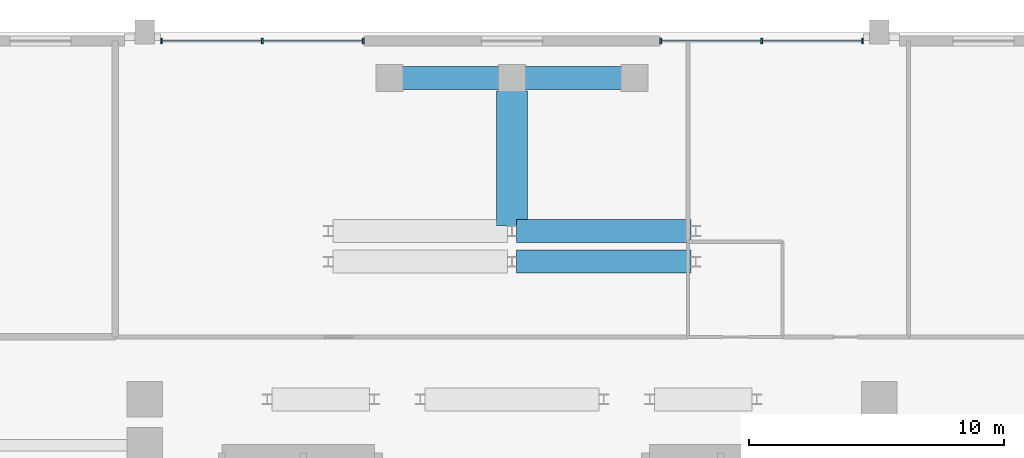
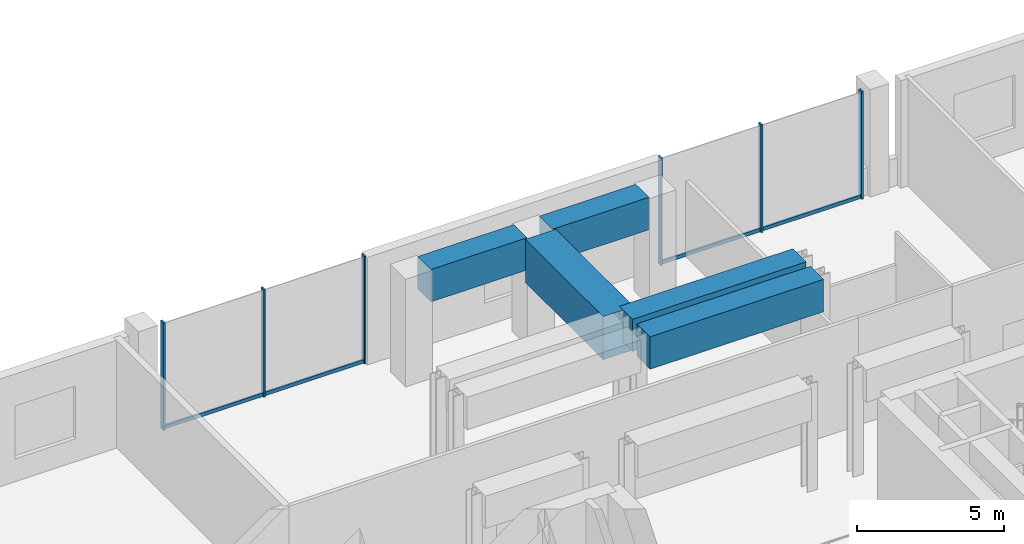
# One storey, part 7 of 13: 10 members, 5 beams, 2 elements without a shape of their own.
"""IFC4 building model written with IfcOpenShell, lengths in metres."""

from ifc_helpers import new_model, si_unit, direction, frame, origin, origin_2d, place, context, subcontext, project, spatial, rectangle, extrude, source, transform, mapped, material, material_profile, profile_set, type_object, element, aggregate, save


model = new_model("IFC4")

# Units and contexts
model_context = context("Model", 3, precision=1e-05, world=origin(), true_north=direction((0.0, 1.0)))
body_context = subcontext(model_context, "Body", "Model", "MODEL_VIEW")
ifc_project = project(units=[si_unit("LENGTHUNIT", "METRE"), si_unit("AREAUNIT", "SQUARE_METRE"), si_unit("VOLUMEUNIT", "CUBIC_METRE"), si_unit("PLANEANGLEUNIT", "RADIAN"), si_unit("MASSUNIT", "GRAM", prefix="KILO")], contexts=[model_context])

# Site, building, storey
site_placement = place(None, origin())
site = spatial("IfcSite", under=ifc_project, at=site_placement, CompositionType="ELEMENT")
building_placement = place(site_placement, origin())
building = spatial("IfcBuilding", under=site, at=building_placement, Name="Keilestroom Media Tower", CompositionType="ELEMENT")
storey_placement = place(building_placement, frame((0.0, 0.0, 20.39990234375)))
storey = spatial("IfcBuildingStorey", under=building, at=storey_placement, Name="L04", CompositionType="ELEMENT", Elevation=20.39990234375)

# Beams
ifc_material_1 = material(Name="Concrete C55/67", Category="concrete")
ifc_material_profile_1 = material_profile(ifc_material_1, rectangle(XDim=0.89990234375, YDim=1.35009765625, at=origin_2d()), Name="RC 900x1350")
ifc_profile_set_1 = profile_set([ifc_material_profile_1], Name="Concrete C55/67")
beam_type_1 = type_object("IfcBeamType", Name="Primary-Structural-Girder-RC-900x1350", PredefinedType="BEAM", material=ifc_profile_set_1)
shared_shape_1 = source(origin(), body_context, "Body", "SweptSolid", [
    extrude(rectangle(XDim=0.89990234375, YDim=1.35009765625, at=origin_2d()), origin(), (0.0, 0.0, 1.0), 6.833984375),
])
for number, where, z_axis, x_axis, name in (
    (1, (0.18310546875, 14.39990234375, 3.80517578125), (1.0, 0.0, 0.0), (0.0, 1.0, 0.0), "L04 Beam TG-2 BM-L04-EW-030"),
    (2, (0.18310546875, 15.60009765625, 3.80517578125), (1.0, 0.0, 0.0), (0.0, 1.0, 0.0), "L04 Beam TG-2 BM-L04-EW-032"),
):
    element("IfcBeam", number, at=place(storey_placement, frame(where, z_axis=z_axis, x_axis=x_axis)), inside=storey, type_object=beam_type_1, Name=name, PredefinedType="BEAM", context=body_context, shape_type="MappedRepresentation", body=[
        mapped(shared_shape_1, transform((0.0, 0.0, 0.0), x_axis=(1.0, 0.0, 0.0), y_axis=(0.0, 1.0, 0.0), z_axis=(0.0, 0.0, 1.0), scale=1.0)),
    ])
shared_shape_2 = source(origin(), body_context, "Body", "SweptSolid", [
    extrude(rectangle(XDim=0.89990234375, YDim=1.35009765625, at=origin_2d()), origin(), (0.0, 0.0, 1.0), 3.7900390625),
])
for number, where, z_axis, x_axis, name in (
    (3, (-4.294921875, 21.60009765625, 3.80517578125), (1.0, 0.0, 0.0), (0.0, 1.0, 0.0), "L04 Beam TG-2 BM-L04-EW-033"),
    (4, (0.5048828125, 21.60009765625, 3.80517578125), (1.0, 0.0, 0.0), (0.0, 1.0, 0.0), "L04 Beam TG-2 BM-L04-EW-034"),
):
    element("IfcBeam", number, at=place(storey_placement, frame(where, z_axis=z_axis, x_axis=x_axis)), inside=storey, type_object=beam_type_1, Name=name, PredefinedType="BEAM", context=body_context, shape_type="MappedRepresentation", body=[
        mapped(shared_shape_2, transform((0.0, 0.0, 0.0), x_axis=(1.0, 0.0, 0.0), y_axis=(0.0, 1.0, 0.0), z_axis=(0.0, 0.0, 1.0), scale=1.0)),
    ])
ifc_material_2 = material(Name="Concrete C60/75", Category="concrete")
ifc_material_profile_2 = material_profile(ifc_material_2, rectangle(XDim=1.199951171875, YDim=1.800048828125, at=origin_2d()), Name="RC 1200x1800")
ifc_profile_set_2 = profile_set([ifc_material_profile_2], Name="Concrete C60/75")
beam_type_2 = type_object("IfcBeamType", Name="Primary-Structural-Girder-RC-1200x1800", PredefinedType="BEAM", material=ifc_profile_set_2)
shared_shape_3 = source(origin(), body_context, "Body", "SweptSolid", [
    extrude(rectangle(XDim=1.199951171875, YDim=1.800048828125, at=origin_2d()), origin(), (0.0, 0.0, 1.0), 5.306884765625),
])
beam_placement = place(storey_placement, frame((0.0, 15.7880859375, 3.580078125), z_axis=(0.0, 1.0, 0.0), x_axis=(-1.0, 0.0, 0.0)))
element("IfcBeam", 5, at=beam_placement, inside=storey, type_object=beam_type_2, Name="L04 Beam TG-1 BM-L04-NS-049", PredefinedType="BEAM", context=body_context, shape_type="MappedRepresentation", body=[
    mapped(shared_shape_3, transform((0.0, 0.0, 0.0), x_axis=(1.0, 0.0, 0.0), y_axis=(0.0, 1.0, 0.0), z_axis=(0.0, 0.0, 1.0), scale=1.0)),
])

# Curtain wall, member
ifc_material_3 = material(Name="Anodised Aluminium Alloy", Category="aluminium")
curtain_wall_type = type_object("IfcCurtainWallType", Name="Unitised-Curtain-Wall-CW-5", PredefinedType="NOTDEFINED", material=ifc_material_3)
curtain_wall_1_placement = place(storey_placement, origin())
curtain_wall_1 = element("IfcCurtainWall", 6, at=curtain_wall_1_placement, inside=storey, type_object=curtain_wall_type, Name="L04 Curtain Wall CW-5 CW-L04-N-ATW", PredefinedType="NOTDEFINED")
ifc_material_profile_3 = material_profile(ifc_material_3, rectangle(XDim=0.06494140625, YDim=0.14990234375, at=origin_2d()), Name="ALU TRANSOM 65x150")
ifc_profile_set_3 = profile_set([ifc_material_profile_3], Name="Anodised Aluminium Alloy")
member_type_1 = type_object("IfcMemberType", Name="Curtain-Wall-Transom-CW-5", PredefinedType="USERDEFINED", material=ifc_profile_set_3)
shared_shape_4 = source(origin(), body_context, "Body", "SweptSolid", [
    extrude(rectangle(XDim=0.06494140625, YDim=0.14990234375, at=origin_2d()), origin(), (0.0, 0.0, 1.0), 3.888916015625),
])
member_1_placement = place(storey_placement, frame((-13.7119140625, 23.050048828125, 0.0751953125), z_axis=(1.0, 0.0, 0.0), x_axis=(0.0, 1.0, 0.0)))
member_1 = element("IfcMember", 7, at=member_1_placement, type_object=member_type_1, Name="CW-5 Transom 00.1", ObjectType="TRANSOM", PredefinedType="USERDEFINED", context=body_context, shape_type="MappedRepresentation", body=[
    mapped(shared_shape_4, transform((0.0, 0.0, 0.0), x_axis=(1.0, 0.0, 0.0), y_axis=(0.0, 1.0, 0.0), z_axis=(0.0, 0.0, 1.0), scale=1.0)),
])

curtain_wall_2_placement = place(storey_placement, origin())
curtain_wall_2 = element("IfcCurtainWall", 8, at=curtain_wall_2_placement, inside=storey, type_object=curtain_wall_type, Name="L04 Curtain Wall CW-5 CW-L04-N-ATE", PredefinedType="NOTDEFINED")
member_2_placement = place(storey_placement, frame((9.822998046875, 23.050048828125, 0.0751953125), z_axis=(1.0, 0.0, 0.0), x_axis=(0.0, 1.0, 0.0)))
member_2 = element("IfcMember", 9, at=member_2_placement, type_object=member_type_1, Name="CW-5 Transom 01.1", ObjectType="TRANSOM", PredefinedType="USERDEFINED", context=body_context, shape_type="MappedRepresentation", body=[
    mapped(shared_shape_4, transform((0.0, 0.0, 0.0), x_axis=(1.0, 0.0, 0.0), y_axis=(0.0, 1.0, 0.0), z_axis=(0.0, 0.0, 1.0), scale=1.0)),
])

# Member
shared_shape_5 = source(origin(), body_context, "Body", "SweptSolid", [
    extrude(rectangle(XDim=0.06494140625, YDim=0.14990234375, at=origin_2d()), origin(), (0.0, 0.0, 1.0), 3.88916015625),
])
member_3_placement = place(storey_placement, frame((-9.757080078125, 23.050048828125, 0.0751953125), z_axis=(1.0, 0.0, 0.0), x_axis=(0.0, 1.0, 0.0)))
member_3 = element("IfcMember", 10, at=member_3_placement, type_object=member_type_1, Name="CW-5 Transom 01.1", ObjectType="TRANSOM", PredefinedType="USERDEFINED", context=body_context, shape_type="MappedRepresentation", body=[
    mapped(shared_shape_5, transform((0.0, 0.0, 0.0), x_axis=(1.0, 0.0, 0.0), y_axis=(0.0, 1.0, 0.0), z_axis=(0.0, 0.0, 1.0), scale=1.0)),
])

member_4_placement = place(storey_placement, frame((5.867919921875, 23.050048828125, 0.0751953125), z_axis=(1.0, 0.0, 0.0), x_axis=(0.0, 1.0, 0.0)))
member_4 = element("IfcMember", 11, at=member_4_placement, type_object=member_type_1, Name="CW-5 Transom 00.1", ObjectType="TRANSOM", PredefinedType="USERDEFINED", context=body_context, shape_type="MappedRepresentation", body=[
    mapped(shared_shape_5, transform((0.0, 0.0, 0.0), x_axis=(1.0, 0.0, 0.0), y_axis=(0.0, 1.0, 0.0), z_axis=(0.0, 0.0, 1.0), scale=1.0)),
])

ifc_material_profile_4 = material_profile(ifc_material_3, rectangle(XDim=0.070068359375, YDim=0.199951171875, at=origin_2d()), Name="ALU MULLION 70x200")
ifc_profile_set_4 = profile_set([ifc_material_profile_4], Name="Anodised Aluminium Alloy")
member_type_2 = type_object("IfcMemberType", Name="Curtain-Wall-Mullion-CW-5", PredefinedType="MULLION", material=ifc_profile_set_4)
shared_shape_6 = source(origin(), body_context, "Body", "SweptSolid", [
    extrude(rectangle(XDim=0.070068359375, YDim=0.199951171875, at=origin_2d()), origin(), (0.0, 0.0, 1.0), 4.47998046875),
])
member_5_placement = place(storey_placement, frame((-13.7451171875, 23.050048828125, 0.0), z_axis=(0.0, 0.0, 1.0), x_axis=(1.0, 0.0, 0.0)))
member_5 = element("IfcMember", 12, at=member_5_placement, type_object=member_type_2, Name="CW-5 Mullion 00", PredefinedType="MULLION", context=body_context, shape_type="MappedRepresentation", body=[
    mapped(shared_shape_6, transform((0.0, 0.0, 0.0), x_axis=(1.0, 0.0, 0.0), y_axis=(0.0, 1.0, 0.0), z_axis=(0.0, 0.0, 1.0), scale=1.0)),
])

member_6_placement = place(storey_placement, frame((-9.7900390625, 23.050048828125, 0.0), z_axis=(0.0, 0.0, 1.0), x_axis=(1.0, 0.0, 0.0)))
member_6 = element("IfcMember", 13, at=member_6_placement, type_object=member_type_2, Name="CW-5 Mullion 01", PredefinedType="MULLION", context=body_context, shape_type="MappedRepresentation", body=[
    mapped(shared_shape_6, transform((0.0, 0.0, 0.0), x_axis=(1.0, 0.0, 0.0), y_axis=(0.0, 1.0, 0.0), z_axis=(0.0, 0.0, 1.0), scale=1.0)),
])

member_7_placement = place(storey_placement, frame((-5.8349609375, 23.050048828125, 0.0), z_axis=(0.0, 0.0, 1.0), x_axis=(1.0, 0.0, 0.0)))
member_7 = element("IfcMember", 14, at=member_7_placement, type_object=member_type_2, Name="CW-5 Mullion 02", PredefinedType="MULLION", context=body_context, shape_type="MappedRepresentation", body=[
    mapped(shared_shape_6, transform((0.0, 0.0, 0.0), x_axis=(1.0, 0.0, 0.0), y_axis=(0.0, 1.0, 0.0), z_axis=(0.0, 0.0, 1.0), scale=1.0)),
])

aggregate(curtain_wall_1, [member_5, member_6, member_7, member_1, member_3])

member_8_placement = place(storey_placement, frame((5.8349609375, 23.050048828125, 0.0), z_axis=(0.0, 0.0, 1.0), x_axis=(1.0, 0.0, 0.0)))
member_8 = element("IfcMember", 15, at=member_8_placement, type_object=member_type_2, Name="CW-5 Mullion 00", PredefinedType="MULLION", context=body_context, shape_type="MappedRepresentation", body=[
    mapped(shared_shape_6, transform((0.0, 0.0, 0.0), x_axis=(1.0, 0.0, 0.0), y_axis=(0.0, 1.0, 0.0), z_axis=(0.0, 0.0, 1.0), scale=1.0)),
])

member_9_placement = place(storey_placement, frame((9.7900390625, 23.050048828125, 0.0), z_axis=(0.0, 0.0, 1.0), x_axis=(1.0, 0.0, 0.0)))
member_9 = element("IfcMember", 16, at=member_9_placement, type_object=member_type_2, Name="CW-5 Mullion 01", PredefinedType="MULLION", context=body_context, shape_type="MappedRepresentation", body=[
    mapped(shared_shape_6, transform((0.0, 0.0, 0.0), x_axis=(1.0, 0.0, 0.0), y_axis=(0.0, 1.0, 0.0), z_axis=(0.0, 0.0, 1.0), scale=1.0)),
])

member_10_placement = place(storey_placement, frame((13.7451171875, 23.050048828125, 0.0), z_axis=(0.0, 0.0, 1.0), x_axis=(1.0, 0.0, 0.0)))
member_10 = element("IfcMember", 17, at=member_10_placement, type_object=member_type_2, Name="CW-5 Mullion 02", PredefinedType="MULLION", context=body_context, shape_type="MappedRepresentation", body=[
    mapped(shared_shape_6, transform((0.0, 0.0, 0.0), x_axis=(1.0, 0.0, 0.0), y_axis=(0.0, 1.0, 0.0), z_axis=(0.0, 0.0, 1.0), scale=1.0)),
])

aggregate(curtain_wall_2, [member_8, member_9, member_10, member_4, member_2])

save(model, "model.ifc")
